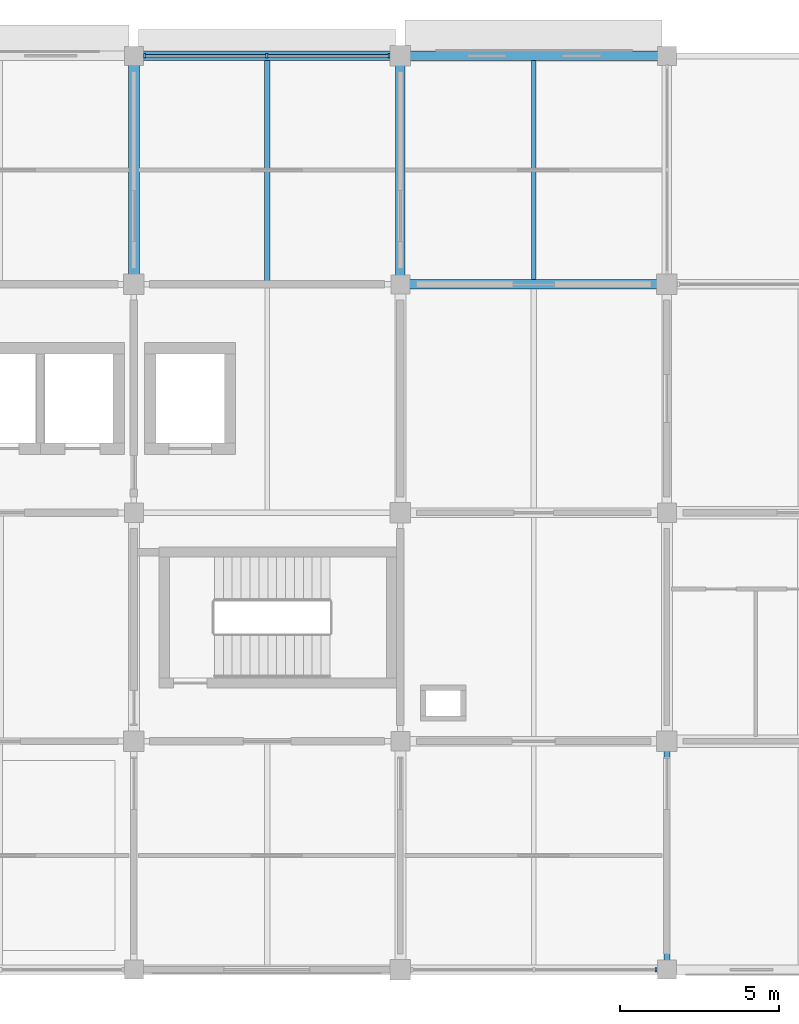
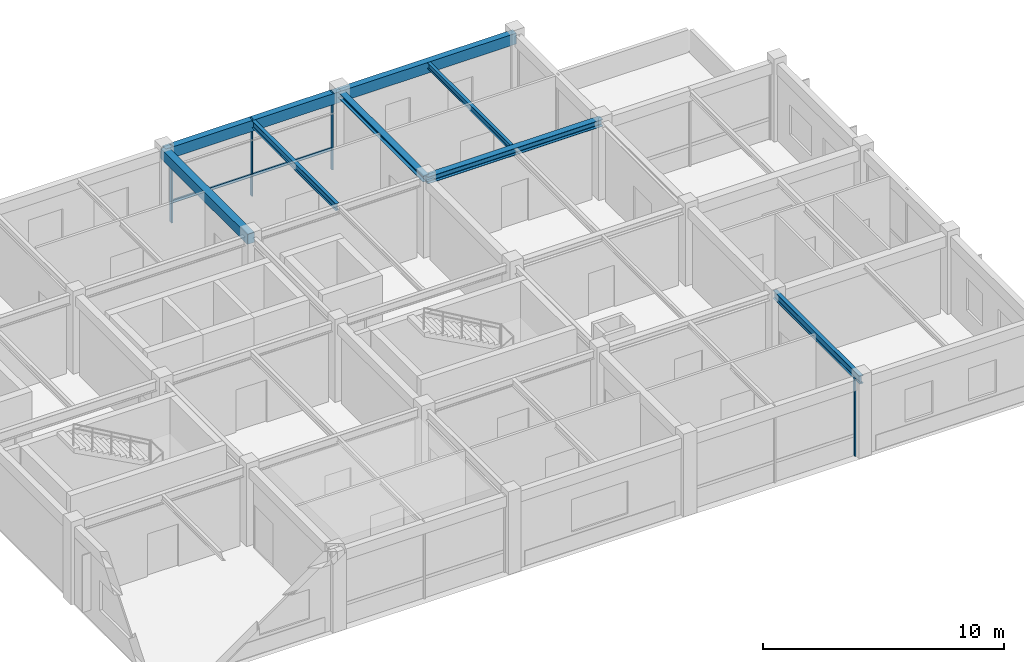
# One storey, part 5 of 13: 8 beams, 6 members, 2 elements without a shape of their own.
"""IFC4 building model written with IfcOpenShell, lengths in metres."""

from ifc_helpers import new_model, si_unit, derived_unit, direction, frame, origin, origin_2d, place, context, subcontext, project, spatial, rectangle, i_section, extrude, material, material_profile, profile_set, type_object, element, aggregate, save


model = new_model("IFC4")

# Units and contexts
model_context = context("Model", 3, precision=1e-05, world=origin(), true_north=direction((0.0, 1.0)))
body_context = subcontext(model_context, "Body", "Model", "MODEL_VIEW")
ifc_project = project(units=[si_unit("LENGTHUNIT", "METRE"), si_unit("AREAUNIT", "SQUARE_METRE"), si_unit("VOLUMEUNIT", "CUBIC_METRE"), si_unit("PLANEANGLEUNIT", "RADIAN"), si_unit("MASSUNIT", "GRAM", prefix="KILO"), derived_unit("THERMALTRANSMITTANCEUNIT", [(si_unit("MASSUNIT", "GRAM", prefix="KILO"), 1), (si_unit("TIMEUNIT", "SECOND"), -3), (si_unit("THERMODYNAMICTEMPERATUREUNIT", "KELVIN"), -1)])], contexts=[model_context])

# Site, building, storey
site_placement = place(None, origin())
site = spatial("IfcSite", under=ifc_project, at=site_placement, CompositionType="ELEMENT")
building_placement = place(site_placement, origin())
building = spatial("IfcBuilding", under=site, at=building_placement, Name="Veldstrom Oceanarium and Marine Research Institute", CompositionType="ELEMENT")
storey_placement = place(building_placement, frame((0.0, 0.0, 52.199951171875)))
storey = spatial("IfcBuildingStorey", under=building, at=storey_placement, Name="L11", CompositionType="ELEMENT", Elevation=52.199951171875)

# Curtain wall, members
ifc_material_1 = material(Name="Anodised Aluminium Framing", Category="aluminium")
curtain_wall_type = type_object("IfcCurtainWallType", Name="ARC-CW-CW04", PredefinedType="USERDEFINED", material=ifc_material_1)
curtain_wall_1_placement = place(storey_placement, origin())
curtain_wall_1 = element("IfcCurtainWall", 1, at=curtain_wall_1_placement, inside=storey, type_object=curtain_wall_type, Name="Curtain Wall CW04 CW-L11-154", ObjectType="Curtain wall", PredefinedType="USERDEFINED")
ifc_material_2 = material(Name="Anodised Aluminium Framing", Category="aluminium")
ifc_material_profile_1 = material_profile(ifc_material_2, rectangle(XDim=0.06494140625, YDim=0.14990234375, at=origin_2d()), Name="ALU-MUL-65x150")
ifc_profile_set_1 = profile_set([ifc_material_profile_1], Name="Anodised Aluminium Framing")
member_type_1 = type_object("IfcMemberType", Name="ARC-MUL-ML2", PredefinedType="MULLION", material=ifc_profile_set_1)
member_1_placement = place(storey_placement, frame((92.739990234375, 72.0, 0.0), z_axis=(0.0, 0.0, 1.0), x_axis=(1.0, 0.0, 0.0)))
member_1 = element("IfcMember", 2, at=member_1_placement, type_object=member_type_1, Name="Curtain Wall Mullion CW-L11-154-MUL-1", PredefinedType="MULLION", context=body_context, shape_type="SweptSolid", body=[
    extrude(rectangle(XDim=0.06494140625, YDim=0.14990234375, at=origin_2d()), origin(), (0.0, 0.0, 1.0), 3.920166015625),
])
member_2_placement = place(storey_placement, frame((96.58740234375, 72.0, 0.0), z_axis=(0.0, 0.0, 1.0), x_axis=(1.0, 0.0, 0.0)))
member_2 = element("IfcMember", 3, at=member_2_placement, type_object=member_type_1, Name="Curtain Wall Mullion CW-L11-154-MUL-2", PredefinedType="MULLION", context=body_context, shape_type="SweptSolid", body=[
    extrude(rectangle(XDim=0.06494140625, YDim=0.14990234375, at=origin_2d()), origin(), (0.0, 0.0, 1.0), 3.920166015625),
])
member_3_placement = place(storey_placement, frame((100.43505859375, 72.0, 0.0), z_axis=(0.0, 0.0, 1.0), x_axis=(1.0, 0.0, 0.0)))
member_3 = element("IfcMember", 4, at=member_3_placement, type_object=member_type_1, Name="Curtain Wall Mullion CW-L11-154-MUL-3", PredefinedType="MULLION", context=body_context, shape_type="SweptSolid", body=[
    extrude(rectangle(XDim=0.06494140625, YDim=0.14990234375, at=origin_2d()), origin(), (0.0, 0.0, 1.0), 3.920166015625),
])

# Curtain wall, member
curtain_wall_2_placement = place(storey_placement, origin())
curtain_wall_2 = element("IfcCurtainWall", 5, at=curtain_wall_2_placement, inside=storey, type_object=curtain_wall_type, Name="Curtain Wall CW04 CW-L11-155", ObjectType="Curtain wall", PredefinedType="USERDEFINED")
member_4_placement = place(storey_placement, frame((108.860107421875, 43.199951171875, 0.0), z_axis=(0.0, 0.0, 1.0), x_axis=(1.0, 0.0, 0.0)))
member_4 = element("IfcMember", 6, at=member_4_placement, type_object=member_type_1, Name="Curtain Wall Mullion CW-L11-155-MUL-3", PredefinedType="MULLION", context=body_context, shape_type="SweptSolid", body=[
    extrude(rectangle(XDim=0.06494140625, YDim=0.14990234375, at=origin_2d()), origin(), (0.0, 0.0, 1.0), 3.920166015625),
])
aggregate(curtain_wall_2, [member_4])

# Member
ifc_material_3 = material(Name="Anodised Aluminium Framing", Category="aluminium")
ifc_material_profile_2 = material_profile(ifc_material_3, rectangle(XDim=0.074951171875, YDim=0.14990234375, at=origin_2d()), Name="ALU-TRN-75x150")
ifc_profile_set_2 = profile_set([ifc_material_profile_2], Name="Anodised Aluminium Framing")
member_type_2 = type_object("IfcMemberType", Name="ARC-TRN-TR1", PredefinedType="USERDEFINED", material=ifc_profile_set_2)
member_5_placement = place(storey_placement, frame((92.780029296875, 72.0, 1.050048828125), z_axis=(1.0, 0.0, 0.0), x_axis=(0.0, 1.0, 0.0)))
member_5 = element("IfcMember", 7, at=member_5_placement, type_object=member_type_2, Name="Curtain Wall Transom CW-L11-154-TRN-1", ObjectType="Transom", PredefinedType="USERDEFINED", context=body_context, shape_type="SweptSolid", body=[
    extrude(rectangle(XDim=0.074951171875, YDim=0.14990234375, at=origin_2d()), origin(), (0.0, 0.0, 1.0), 3.767578125),
])

member_6_placement = place(storey_placement, frame((96.62744140625, 72.0, 1.050048828125), z_axis=(1.0, 0.0, 0.0), x_axis=(0.0, 1.0, 0.0)))
member_6 = element("IfcMember", 8, at=member_6_placement, type_object=member_type_2, Name="Curtain Wall Transom CW-L11-154-TRN-2", ObjectType="Transom", PredefinedType="USERDEFINED", context=body_context, shape_type="SweptSolid", body=[
    extrude(rectangle(XDim=0.074951171875, YDim=0.14990234375, at=origin_2d()), origin(), (0.0, 0.0, 1.0), 3.767578125),
])

aggregate(curtain_wall_1, [member_1, member_2, member_3, member_5, member_6])

# Beams
ifc_material_4 = material(Name="Concrete C40/50", Category="concrete")
ifc_material_profile_3 = material_profile(ifc_material_4, rectangle(XDim=0.35009765625, YDim=0.5, at=origin_2d()), Name="RC-BM-350x500")
ifc_profile_set_3 = profile_set([ifc_material_profile_3], Name="Concrete C40/50")
beam_type_1 = type_object("IfcBeamType", Name="STR-BM-B08", PredefinedType="BEAM", material=ifc_profile_set_3)
beam_1_placement = place(storey_placement, frame((92.39990234375, 64.800048828125, 3.6650390625), z_axis=(0.0, 1.0, 0.0), x_axis=(-1.0, 0.0, 0.0)))
element("IfcBeam", 9, at=beam_1_placement, inside=storey, type_object=beam_type_1, Name="Primary Beam B08 L11-2640", PredefinedType="BEAM", context=body_context, shape_type="SweptSolid", body=[
    extrude(rectangle(XDim=0.35009765625, YDim=0.5, at=origin_2d()), origin(), (0.0, 0.0, 1.0), 7.199951171875),
])
ifc_material_5 = material(Name="Steel S355JR", Category="steel")
ifc_material_profile_4 = material_profile(ifc_material_5, i_section(OverallWidth=0.300048828125, OverallDepth=0.2900390625, WebThickness=0.008544921875, FlangeThickness=0.013916015625, FilletRadius=0.027099609375, at=origin_2d()), Name="HEA 300")
ifc_profile_set_4 = profile_set([ifc_material_profile_4], Name="Steel S355JR")
beam_type_2 = type_object("IfcBeamType", Name="STR-BM-SB10", PredefinedType="BEAM", material=ifc_profile_set_4)
beam_2_placement = place(storey_placement, frame((100.800048828125, 64.800048828125, 3.77001953125), z_axis=(0.0, 1.0, 0.0), x_axis=(-1.0, 0.0, 0.0)))
element("IfcBeam", 10, at=beam_2_placement, inside=storey, type_object=beam_type_2, Name="Steel Tie Beam SB10 L11-2644", PredefinedType="BEAM", context=body_context, shape_type="SweptSolid", body=[
    extrude(i_section(OverallWidth=0.300048828125, OverallDepth=0.2900390625, WebThickness=0.008544921875, FlangeThickness=0.013916015625, FilletRadius=0.027099609375, at=origin_2d()), origin(), (0.0, 0.0, 1.0), 7.199951171875),
])
ifc_material_6 = material(Name="Steel S355JR", Category="steel")
ifc_material_profile_5 = material_profile(ifc_material_6, i_section(OverallWidth=0.179931640625, OverallDepth=0.39990234375, WebThickness=0.008544921875, FlangeThickness=0.013427734375, FilletRadius=0.02099609375, at=origin_2d()), Name="IPE 400")
ifc_profile_set_5 = profile_set([ifc_material_profile_5], Name="Steel S355JR")
beam_type_3 = type_object("IfcBeamType", Name="STR-BM-SB8", PredefinedType="BEAM", material=ifc_profile_set_5)
beam_3_placement = place(storey_placement, frame((109.199951171875, 43.199951171875, 3.715087890625), z_axis=(0.0, 1.0, 0.0), x_axis=(-1.0, 0.0, 0.0)))
element("IfcBeam", 11, at=beam_3_placement, inside=storey, type_object=beam_type_3, Name="Steel Tie Beam SB8 L11-2645", PredefinedType="BEAM", context=body_context, shape_type="SweptSolid", body=[
    extrude(i_section(OverallWidth=0.179931640625, OverallDepth=0.39990234375, WebThickness=0.008544921875, FlangeThickness=0.013427734375, FilletRadius=0.02099609375, at=origin_2d()), origin(), (0.0, 0.0, 1.0), 7.199951171875),
])
ifc_material_7 = material(Name="Steel S355JR", Category="steel")
ifc_material_profile_6 = material_profile(ifc_material_7, i_section(OverallWidth=0.300048828125, OverallDepth=0.35009765625, WebThickness=0.010009765625, FlangeThickness=0.017578125, FilletRadius=0.027099609375, at=origin_2d()), Name="HEA 360")
ifc_profile_set_6 = profile_set([ifc_material_profile_6], Name="Steel S355JR")
beam_type_4 = type_object("IfcBeamType", Name="STR-BM-SB9", PredefinedType="BEAM", material=ifc_profile_set_6)
beam_4_placement = place(storey_placement, frame((100.800048828125, 64.800048828125, 3.739990234375), z_axis=(1.0, 0.0, 0.0), x_axis=(0.0, 1.0, 0.0)))
element("IfcBeam", 12, at=beam_4_placement, inside=storey, type_object=beam_type_4, Name="Steel Floor Girder SB9 L11-2623", PredefinedType="BEAM", context=body_context, shape_type="SweptSolid", body=[
    extrude(i_section(OverallWidth=0.300048828125, OverallDepth=0.35009765625, WebThickness=0.010009765625, FlangeThickness=0.017578125, FilletRadius=0.027099609375, at=origin_2d()), origin(), (0.0, 0.0, 1.0), 8.39990234375),
])
ifc_material_8 = material(Name="Steel S355JR", Category="steel")
ifc_material_profile_7 = material_profile(ifc_material_8, i_section(OverallWidth=0.169921875, OverallDepth=0.360107421875, WebThickness=0.008056640625, FlangeThickness=0.0126953125, FilletRadius=0.01806640625, at=origin_2d()), Name="IPE 360")
ifc_profile_set_7 = profile_set([ifc_material_profile_7], Name="Steel S355JR")
beam_type_5 = type_object("IfcBeamType", Name="STR-JST-SJ1", PredefinedType="JOIST", material=ifc_profile_set_7)
beam_5_placement = place(storey_placement, frame((96.60009765625, 64.889892578125, 3.735107421875), z_axis=(0.0, 1.0, 0.0), x_axis=(-1.0, 0.0, 0.0)))
element("IfcBeam", 13, at=beam_5_placement, inside=storey, type_object=beam_type_5, Name="Secondary Joist SJ1 L11-2660", PredefinedType="JOIST", context=body_context, shape_type="SweptSolid", body=[
    extrude(i_section(OverallWidth=0.169921875, OverallDepth=0.360107421875, WebThickness=0.008056640625, FlangeThickness=0.0126953125, FilletRadius=0.01806640625, at=origin_2d()), origin(), (0.0, 0.0, 1.0), 6.960205078125),
])
ifc_material_9 = material(Name="Steel S355JR", Category="steel")
ifc_material_profile_8 = material_profile(ifc_material_9, i_section(OverallWidth=0.14990234375, OverallDepth=0.300048828125, WebThickness=0.007080078125, FlangeThickness=0.0107421875, FilletRadius=0.014892578125, at=origin_2d()), Name="IPE 300")
ifc_profile_set_8 = profile_set([ifc_material_profile_8], Name="Steel S355JR")
beam_type_6 = type_object("IfcBeamType", Name="STR-JST-SJ2", PredefinedType="JOIST", material=ifc_profile_set_8)
beam_6_placement = place(storey_placement, frame((105.0, 64.949951171875, 3.76513671875), z_axis=(0.0, 1.0, 0.0), x_axis=(-1.0, 0.0, 0.0)))
element("IfcBeam", 14, at=beam_6_placement, inside=storey, type_object=beam_type_6, Name="Secondary Joist SJ2 L11-2664", PredefinedType="JOIST", context=body_context, shape_type="SweptSolid", body=[
    extrude(i_section(OverallWidth=0.14990234375, OverallDepth=0.300048828125, WebThickness=0.007080078125, FlangeThickness=0.0107421875, FilletRadius=0.014892578125, at=origin_2d()), origin(), (0.0, 0.0, 1.0), 6.900146484375),
])
ifc_material_10 = material(Name="Concrete C40/50", Category="concrete")
ifc_material_profile_9 = material_profile(ifc_material_10, rectangle(XDim=0.300048828125, YDim=0.550048828125, at=origin_2d()), Name="RC-SPN-300x550")
ifc_profile_set_9 = profile_set([ifc_material_profile_9], Name="Concrete C40/50")
beam_type_7 = type_object("IfcBeamType", Name="STR-SPN-SP2", PredefinedType="SPANDREL", material=ifc_profile_set_9)
beam_7_placement = place(storey_placement, frame((92.39990234375, 72.0, 3.64013671875), z_axis=(1.0, 0.0, 0.0), x_axis=(0.0, 1.0, 0.0)))
element("IfcBeam", 15, at=beam_7_placement, inside=storey, type_object=beam_type_7, Name="Perimeter Spandrel SPB2 L11-2619", PredefinedType="SPANDREL", context=body_context, shape_type="SweptSolid", body=[
    extrude(rectangle(XDim=0.300048828125, YDim=0.550048828125, at=origin_2d()), origin(), (0.0, 0.0, 1.0), 8.400146484375),
])
beam_8_placement = place(storey_placement, frame((100.800048828125, 72.0, 3.64013671875), z_axis=(1.0, 0.0, 0.0), x_axis=(0.0, 1.0, 0.0)))
element("IfcBeam", 16, at=beam_8_placement, inside=storey, type_object=beam_type_7, Name="Perimeter Spandrel SPB2 L11-2624", PredefinedType="SPANDREL", context=body_context, shape_type="SweptSolid", body=[
    extrude(rectangle(XDim=0.300048828125, YDim=0.550048828125, at=origin_2d()), origin(), (0.0, 0.0, 1.0), 8.39990234375),
])

save(model, "model.ifc")
